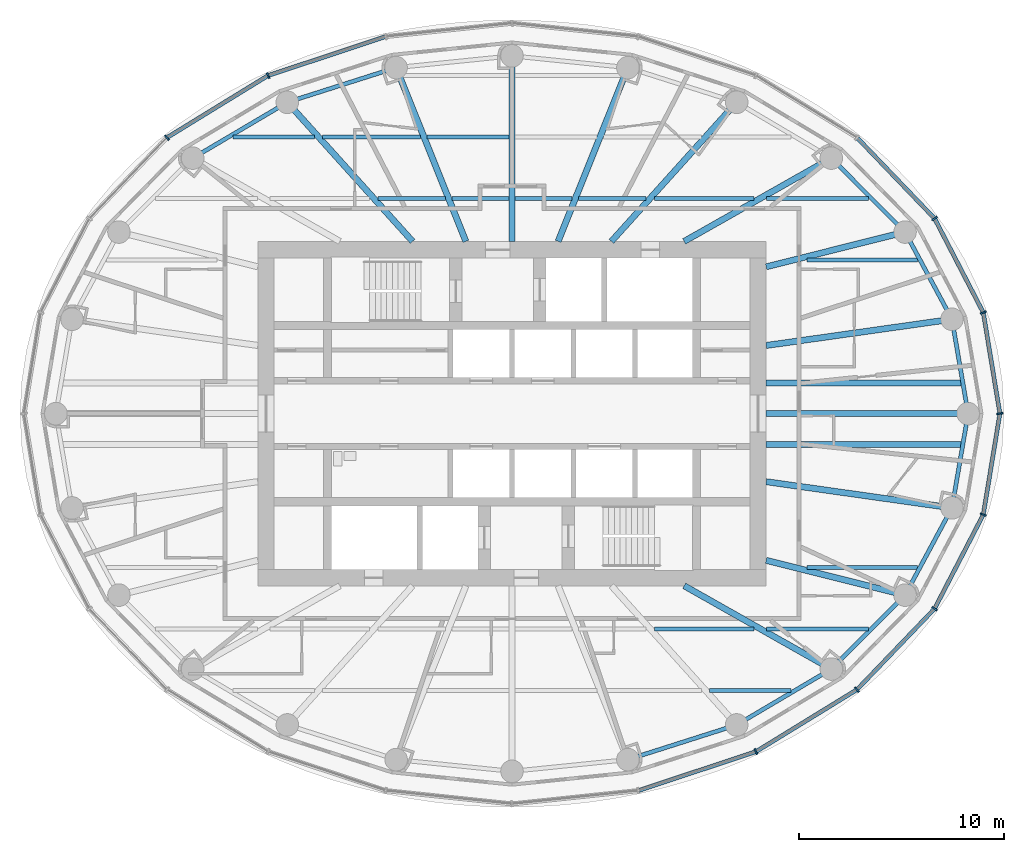
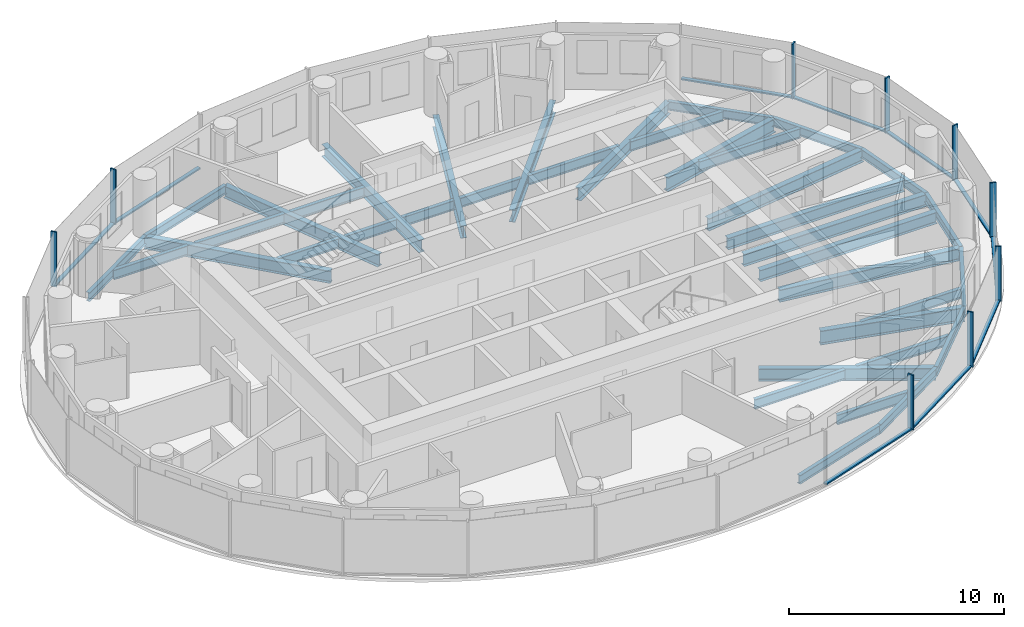
# One storey, part 3 of 16: 38 beams, 19 members, 3 elements without a shape of their own.
"""IFC4 building model written with IfcOpenShell, lengths in metres."""

from ifc_helpers import new_model, si_unit, direction, frame, origin, origin_2d, place, context, subcontext, project, spatial, rectangle, i_section, extrude, material, material_profile, profile_set, type_object, element, aggregate, save


model = new_model("IFC4")

# Units and contexts
model_context = context("Model", 3, precision=1e-05, world=origin(), true_north=direction((0.0, 1.0)))
body_context = subcontext(model_context, "Body", "Model", "MODEL_VIEW")
ifc_project = project(units=[si_unit("LENGTHUNIT", "METRE"), si_unit("AREAUNIT", "SQUARE_METRE"), si_unit("VOLUMEUNIT", "CUBIC_METRE"), si_unit("PLANEANGLEUNIT", "RADIAN"), si_unit("MASSUNIT", "GRAM", prefix="KILO")], contexts=[model_context])

# Site, building, storey
site_placement = place(None, origin())
site = spatial("IfcSite", under=ifc_project, at=site_placement, CompositionType="ELEMENT")
building_placement = place(site_placement, origin())
building = spatial("IfcBuilding", under=site, at=building_placement, Name="Hankou Lantern Tower", CompositionType="ELEMENT")
storey_placement = place(building_placement, frame((0.0, 0.0, 166.5)))
storey = spatial("IfcBuildingStorey", under=building, at=storey_placement, Name="L44", CompositionType="ELEMENT", Elevation=166.5)

# Beams
ifc_material_1 = material(Name="Steel Q355B", Category="steel")
ifc_material_profile_1 = material_profile(ifc_material_1, i_section(OverallWidth=0.199951171875, OverallDepth=0.5, WebThickness=0.010009765625, FlangeThickness=0.01611328125, FilletRadius=0.012939453125, at=origin_2d()), Name="HN500x200x10x16")
ifc_profile_set_1 = profile_set([ifc_material_profile_1], Name="Steel Q355B")
beam_type_1 = type_object("IfcBeamType", Name="EB5 RING BEAM HN500x200x10x16", PredefinedType="SPANDREL", material=ifc_profile_set_1)
beam_1_placement = place(storey_placement, frame((22.25, 0.0, -0.429931640625), z_axis=(-0.168680718946, 0.985670743735, 0.0), x_axis=(-0.985670743735, -0.168680718946, 0.0)))
element("IfcBeam", 1, at=beam_1_placement, inside=storey, type_object=beam_type_1, Name="Ring beam R01-R02 L44", PredefinedType="SPANDREL", context=body_context, shape_type="SweptSolid", body=[
    extrude(i_section(OverallWidth=0.199951171875, OverallDepth=0.5, WebThickness=0.010009765625, FlangeThickness=0.01611328125, FilletRadius=0.012939453125, at=origin_2d()), origin(), (0.0, 0.0, 1.0), 4.667724609375),
])
beam_2_placement = place(storey_placement, frame((21.462646484375, 4.600830078125, -0.429931640625), z_axis=(-0.474051612334, 0.880497057828, 0.0), x_axis=(-0.880497057828, -0.474051612334, 0.0)))
element("IfcBeam", 2, at=beam_2_placement, inside=storey, type_object=beam_type_1, Name="Ring beam R02-R03 L44", PredefinedType="SPANDREL", context=body_context, shape_type="SweptSolid", body=[
    extrude(i_section(OverallWidth=0.199951171875, OverallDepth=0.5, WebThickness=0.010009765625, FlangeThickness=0.01611328125, FilletRadius=0.012939453125, at=origin_2d()), origin(), (0.0, 0.0, 1.0), 4.831787109375),
])
beam_3_placement = place(storey_placement, frame((19.172119140625, 8.855224609375, -0.429931640625), z_axis=(-0.706147278092, 0.708064984054, 0.0), x_axis=(-0.708064984054, -0.706147278092, 0.0)))
element("IfcBeam", 3, at=beam_3_placement, inside=storey, type_object=beam_type_1, Name="Ring beam R03-R04 L44", PredefinedType="SPANDREL", context=body_context, shape_type="SweptSolid", body=[
    extrude(i_section(OverallWidth=0.199951171875, OverallDepth=0.5, WebThickness=0.010009765625, FlangeThickness=0.01611328125, FilletRadius=0.012939453125, at=origin_2d()), origin(), (0.0, 0.0, 1.0), 5.09228515625),
])
beam_4_placement = place(storey_placement, frame((-5.65283203125, 16.87744140625, -0.429931640625), z_axis=(-0.952790404271, -0.30362879562, 0.0), x_axis=(0.30362879562, -0.952790404271, 0.0)))
element("IfcBeam", 4, at=beam_4_placement, inside=storey, type_object=beam_type_1, Name="Ring beam R08-R09 L44", PredefinedType="SPANDREL", context=body_context, shape_type="SweptSolid", body=[
    extrude(i_section(OverallWidth=0.199951171875, OverallDepth=0.5, WebThickness=0.010009765625, FlangeThickness=0.01611328125, FilletRadius=0.012939453125, at=origin_2d()), origin(), (0.0, 0.0, 1.0), 5.56982421875),
])
beam_5_placement = place(storey_placement, frame((-10.959716796875, 15.186279296875, -0.429931640625), z_axis=(-0.861135888339, -0.508374843806, 0.0), x_axis=(0.508374843806, -0.861135888339, 0.0)))
element("IfcBeam", 5, at=beam_5_placement, inside=storey, type_object=beam_type_1, Name="Ring beam R09-R10 L44", PredefinedType="SPANDREL", context=body_context, shape_type="SweptSolid", body=[
    extrude(i_section(OverallWidth=0.199951171875, OverallDepth=0.5, WebThickness=0.010009765625, FlangeThickness=0.01611328125, FilletRadius=0.012939453125, at=origin_2d()), origin(), (0.0, 0.0, 1.0), 5.36083984375),
])
beam_6_placement = place(storey_placement, frame((5.65283203125, -16.87744140625, -0.429931640625), z_axis=(0.952790404271, 0.30362879562, 0.0), x_axis=(-0.30362879562, 0.952790404271, 0.0)))
element("IfcBeam", 6, at=beam_6_placement, inside=storey, type_object=beam_type_1, Name="Ring beam R20-R21 L44", PredefinedType="SPANDREL", context=body_context, shape_type="SweptSolid", body=[
    extrude(i_section(OverallWidth=0.199951171875, OverallDepth=0.5, WebThickness=0.010009765625, FlangeThickness=0.01611328125, FilletRadius=0.012939453125, at=origin_2d()), origin(), (0.0, 0.0, 1.0), 5.56982421875),
])
beam_7_placement = place(storey_placement, frame((10.959716796875, -15.186279296875, -0.429931640625), z_axis=(0.861135888339, 0.508374843806, 0.0), x_axis=(-0.508374843806, 0.861135888339, 0.0)))
element("IfcBeam", 7, at=beam_7_placement, inside=storey, type_object=beam_type_1, Name="Ring beam R21-R22 L44", PredefinedType="SPANDREL", context=body_context, shape_type="SweptSolid", body=[
    extrude(i_section(OverallWidth=0.199951171875, OverallDepth=0.5, WebThickness=0.010009765625, FlangeThickness=0.01611328125, FilletRadius=0.012939453125, at=origin_2d()), origin(), (0.0, 0.0, 1.0), 5.36083984375),
])
beam_8_placement = place(storey_placement, frame((15.576171875, -12.4609375, -0.429931640625), z_axis=(0.706147278092, 0.708064984054, 0.0), x_axis=(-0.708064984054, 0.706147278092, 0.0)))
element("IfcBeam", 8, at=beam_8_placement, inside=storey, type_object=beam_type_1, Name="Ring beam R22-R23 L44", PredefinedType="SPANDREL", context=body_context, shape_type="SweptSolid", body=[
    extrude(i_section(OverallWidth=0.199951171875, OverallDepth=0.5, WebThickness=0.010009765625, FlangeThickness=0.01611328125, FilletRadius=0.012939453125, at=origin_2d()), origin(), (0.0, 0.0, 1.0), 5.09228515625),
])
beam_9_placement = place(storey_placement, frame((19.172119140625, -8.855224609375, -0.429931640625), z_axis=(0.474051612334, 0.880497057828, 0.0), x_axis=(-0.880497057828, 0.474051612334, 0.0)))
element("IfcBeam", 9, at=beam_9_placement, inside=storey, type_object=beam_type_1, Name="Ring beam R23-R24 L44", PredefinedType="SPANDREL", context=body_context, shape_type="SweptSolid", body=[
    extrude(i_section(OverallWidth=0.199951171875, OverallDepth=0.5, WebThickness=0.010009765625, FlangeThickness=0.01611328125, FilletRadius=0.012939453125, at=origin_2d()), origin(), (0.0, 0.0, 1.0), 4.831787109375),
])
beam_10_placement = place(storey_placement, frame((21.462646484375, -4.600830078125, -0.429931640625), z_axis=(0.168680718946, 0.985670743735, 0.0), x_axis=(-0.985670743735, 0.168680718946, 0.0)))
element("IfcBeam", 10, at=beam_10_placement, inside=storey, type_object=beam_type_1, Name="Ring beam R24-R01 L44", PredefinedType="SPANDREL", context=body_context, shape_type="SweptSolid", body=[
    extrude(i_section(OverallWidth=0.199951171875, OverallDepth=0.5, WebThickness=0.010009765625, FlangeThickness=0.01611328125, FilletRadius=0.012939453125, at=origin_2d()), origin(), (0.0, 0.0, 1.0), 4.667724609375),
])

# Curtain wall, members
ifc_material_2 = material(Name="Glass, dark grey tinted laminated", Category="glass")
curtain_wall_type = type_object("IfcCurtainWallType", Name="CWC OUTER SKIN HIGH-RISE", PredefinedType="USERDEFINED", material=ifc_material_2)
curtain_wall_1_placement = place(storey_placement, origin())
curtain_wall_1 = element("IfcCurtainWall", 11, at=curtain_wall_1_placement, inside=storey, type_object=curtain_wall_type, Name="CWC L44 OS1", ObjectType="OUTER SKIN HIGH-RISE", PredefinedType="USERDEFINED")
ifc_material_3 = material(Name="Aluminium, black anodised", Category="aluminium")
ifc_material_profile_2 = material_profile(ifc_material_3, rectangle(XDim=0.080078125, YDim=0.300048828125, at=origin_2d()), Name="MU1 80X300")
ifc_profile_set_2 = profile_set([ifc_material_profile_2], Name="Aluminium, black anodised")
member_type_1 = type_object("IfcMemberType", Name="MU1 OUTER SKIN MULLION 80X300", PredefinedType="MULLION", material=ifc_profile_set_2)
member_1_placement = place(storey_placement, frame((23.800048828125, 0.0, 0.0), z_axis=(0.0, 0.0, 1.0), x_axis=(-0.162381515188, 0.986728049427, 0.0)))
member_1 = element("IfcMember", 12, at=member_1_placement, type_object=member_type_1, Name="CWC mullion 1", PredefinedType="MULLION", context=body_context, shape_type="SweptSolid", body=[
    extrude(rectangle(XDim=0.080078125, YDim=0.300048828125, at=origin_2d()), origin(), (0.0, 0.0, 1.0), 3.1201171875),
])
member_2_placement = place(storey_placement, frame((22.989013671875, 4.927978515625, 0.0), z_axis=(0.0, 0.0, 1.0), x_axis=(-0.317595577365, 0.94822626479, 0.0)))
member_2 = element("IfcMember", 13, at=member_2_placement, type_object=member_type_1, Name="CWC mullion 2", PredefinedType="MULLION", context=body_context, shape_type="SweptSolid", body=[
    extrude(rectangle(XDim=0.080078125, YDim=0.300048828125, at=origin_2d()), origin(), (0.0, 0.0, 1.0), 3.1201171875),
])
member_3_placement = place(storey_placement, frame((20.611328125, 9.52001953125, 0.0), z_axis=(0.0, 0.0, 1.0), x_axis=(-0.585205735974, 0.810884854084, 0.0)))
member_3 = element("IfcMember", 14, at=member_3_placement, type_object=member_type_1, Name="CWC mullion 3", PredefinedType="MULLION", context=body_context, shape_type="SweptSolid", body=[
    extrude(rectangle(XDim=0.080078125, YDim=0.300048828125, at=origin_2d()), origin(), (0.0, 0.0, 1.0), 3.1201171875),
])

curtain_wall_2_placement = place(storey_placement, origin())
curtain_wall_2 = element("IfcCurtainWall", 15, at=curtain_wall_2_placement, inside=storey, type_object=curtain_wall_type, Name="CWC L44 OS2", ObjectType="OUTER SKIN HIGH-RISE", PredefinedType="USERDEFINED")
member_4_placement = place(storey_placement, frame((-11.89990234375, 16.489013671875, 0.0), z_axis=(0.0, 0.0, 1.0), x_axis=(-0.907841299004, -0.419313934686, 0.0)))
member_4 = element("IfcMember", 16, at=member_4_placement, type_object=member_type_1, Name="CWC mullion 3", PredefinedType="MULLION", context=body_context, shape_type="SweptSolid", body=[
    extrude(rectangle(XDim=0.080078125, YDim=0.300048828125, at=origin_2d()), origin(), (0.0, 0.0, 1.0), 3.1201171875),
])
member_5_placement = place(storey_placement, frame((-16.8291015625, 13.46337890625, 0.0), z_axis=(0.0, 0.0, 1.0), x_axis=(-0.780868809444, -0.624695047553, 0.0)))
member_5 = element("IfcMember", 17, at=member_5_placement, type_object=member_type_1, Name="CWC mullion 4", PredefinedType="MULLION", context=body_context, shape_type="SweptSolid", body=[
    extrude(rectangle(XDim=0.080078125, YDim=0.300048828125, at=origin_2d()), origin(), (0.0, 0.0, 1.0), 3.1201171875),
])

curtain_wall_3_placement = place(storey_placement, origin())
curtain_wall_3 = element("IfcCurtainWall", 18, at=curtain_wall_3_placement, inside=storey, type_object=curtain_wall_type, Name="CWC L44 OS4", ObjectType="OUTER SKIN HIGH-RISE", PredefinedType="USERDEFINED")
member_6_placement = place(storey_placement, frame((11.89990234375, -16.489013671875, 0.0), z_axis=(0.0, 0.0, 1.0), x_axis=(0.907841299004, 0.419313934686, 0.0)))
member_6 = element("IfcMember", 19, at=member_6_placement, type_object=member_type_1, Name="CWC mullion 3", PredefinedType="MULLION", context=body_context, shape_type="SweptSolid", body=[
    extrude(rectangle(XDim=0.080078125, YDim=0.300048828125, at=origin_2d()), origin(), (0.0, 0.0, 1.0), 3.1201171875),
])
member_7_placement = place(storey_placement, frame((16.8291015625, -13.46337890625, 0.0), z_axis=(0.0, 0.0, 1.0), x_axis=(0.780868809444, 0.624695047553, 0.0)))
member_7 = element("IfcMember", 20, at=member_7_placement, type_object=member_type_1, Name="CWC mullion 4", PredefinedType="MULLION", context=body_context, shape_type="SweptSolid", body=[
    extrude(rectangle(XDim=0.080078125, YDim=0.300048828125, at=origin_2d()), origin(), (0.0, 0.0, 1.0), 3.1201171875),
])
member_8_placement = place(storey_placement, frame((20.611328125, -9.52001953125, 0.0), z_axis=(0.0, 0.0, 1.0), x_axis=(0.585205735974, 0.810884854084, 0.0)))
member_8 = element("IfcMember", 21, at=member_8_placement, type_object=member_type_1, Name="CWC mullion 5", PredefinedType="MULLION", context=body_context, shape_type="SweptSolid", body=[
    extrude(rectangle(XDim=0.080078125, YDim=0.300048828125, at=origin_2d()), origin(), (0.0, 0.0, 1.0), 3.1201171875),
])
member_9_placement = place(storey_placement, frame((22.989013671875, -4.927978515625, 0.0), z_axis=(0.0, 0.0, 1.0), x_axis=(0.317595577365, 0.94822626479, 0.0)))
member_9 = element("IfcMember", 22, at=member_9_placement, type_object=member_type_1, Name="CWC mullion 6", PredefinedType="MULLION", context=body_context, shape_type="SweptSolid", body=[
    extrude(rectangle(XDim=0.080078125, YDim=0.300048828125, at=origin_2d()), origin(), (0.0, 0.0, 1.0), 3.1201171875),
])

# Beams
ifc_material_4 = material(Name="Steel Q355B", Category="steel")
ifc_material_profile_3 = material_profile(ifc_material_4, i_section(OverallWidth=0.300048828125, OverallDepth=0.800048828125, WebThickness=0.013916015625, FlangeThickness=0.02587890625, FilletRadius=0.01806640625, at=origin_2d()), Name="HN800x300x14x26")
ifc_profile_set_3 = profile_set([ifc_material_profile_3], Name="Steel Q355B")
beam_type_2 = type_object("IfcBeamType", Name="RB11 RADIAL BEAM HN800x300x14x26", PredefinedType="BEAM", material=ifc_profile_set_3)
for number, where, z_axis, x_axis, name in (
    (23, (12.39990234375, 7.1591796875, -0.580078125), (0.970041619568, 0.242938791274, 0.0), (-0.242938791274, 0.970041619568, 0.0), "Radial beam R03 L44"),
    (24, (12.39990234375, -7.1591796875, -0.580078125), (0.970041619568, -0.242938791274, 0.0), (0.242938791274, 0.970041619568, 0.0), "Radial beam R23 L44"),
):
    element("IfcBeam", number, at=place(storey_placement, frame(where, z_axis=z_axis, x_axis=x_axis)), inside=storey, type_object=beam_type_2, Name=name, PredefinedType="BEAM", context=body_context, shape_type="SweptSolid", body=[
        extrude(i_section(OverallWidth=0.300048828125, OverallDepth=0.800048828125, WebThickness=0.013916015625, FlangeThickness=0.02587890625, FilletRadius=0.01806640625, at=origin_2d()), origin(), (0.0, 0.0, 1.0), 6.9814453125),
    ])
ifc_material_5 = material(Name="Steel Q355B", Category="steel")
ifc_material_profile_4 = material_profile(ifc_material_5, i_section(OverallWidth=0.300048828125, OverallDepth=0.699951171875, WebThickness=0.012939453125, FlangeThickness=0.02392578125, FilletRadius=0.01806640625, at=origin_2d()), Name="HN700x300x13x24")
ifc_profile_set_4 = profile_set([ifc_material_profile_4], Name="Steel Q355B")
beam_type_3 = type_object("IfcBeamType", Name="RB9 RADIAL BEAM HN700x300x13x24", PredefinedType="BEAM", material=ifc_profile_set_4)
beam_11_placement = place(storey_placement, frame((12.39990234375, 0.0, -0.530029296875), z_axis=(1.0, 0.0, 0.0), x_axis=(0.0, 1.0, 0.0)))
element("IfcBeam", 25, at=beam_11_placement, inside=storey, type_object=beam_type_3, Name="Radial beam R01 L44", PredefinedType="BEAM", context=body_context, shape_type="SweptSolid", body=[
    extrude(i_section(OverallWidth=0.300048828125, OverallDepth=0.699951171875, WebThickness=0.012939453125, FlangeThickness=0.02392578125, FilletRadius=0.01806640625, at=origin_2d()), origin(), (0.0, 0.0, 1.0), 9.85009765625),
])
beam_12_placement = place(storey_placement, frame((12.39990234375, 3.322509765625, -0.530029296875), z_axis=(0.990198154617, 0.13966966239, 0.0), x_axis=(-0.13966966239, 0.990198154617, 0.0)))
element("IfcBeam", 26, at=beam_12_placement, inside=storey, type_object=beam_type_3, Name="Radial beam R02 L44", PredefinedType="BEAM", context=body_context, shape_type="SweptSolid", body=[
    extrude(i_section(OverallWidth=0.300048828125, OverallDepth=0.699951171875, WebThickness=0.012939453125, FlangeThickness=0.02392578125, FilletRadius=0.01806640625, at=origin_2d()), origin(), (0.0, 0.0, 1.0), 9.15234375),
])
beam_13_placement = place(storey_placement, frame((8.39990234375, 8.39990234375, -0.530029296875), z_axis=(0.870309058024, 0.492505983234, 0.0), x_axis=(-0.492505983234, 0.870309058024, 0.0)))
element("IfcBeam", 27, at=beam_13_placement, inside=storey, type_object=beam_type_3, Name="Radial beam R04 L44", PredefinedType="BEAM", context=body_context, shape_type="SweptSolid", body=[
    extrude(i_section(OverallWidth=0.300048828125, OverallDepth=0.699951171875, WebThickness=0.012939453125, FlangeThickness=0.02392578125, FilletRadius=0.01806640625, at=origin_2d()), origin(), (0.0, 0.0, 1.0), 8.24560546875),
])
beam_14_placement = place(storey_placement, frame((4.849853515625, 8.39990234375, -0.530029296875), z_axis=(0.669093231314, 0.743178476418, 0.0), x_axis=(-0.743178476418, 0.669093231314, 0.0)))
element("IfcBeam", 28, at=beam_14_placement, inside=storey, type_object=beam_type_3, Name="Radial beam R05 L44", PredefinedType="BEAM", context=body_context, shape_type="SweptSolid", body=[
    extrude(i_section(OverallWidth=0.300048828125, OverallDepth=0.699951171875, WebThickness=0.012939453125, FlangeThickness=0.02392578125, FilletRadius=0.01806640625, at=origin_2d()), origin(), (0.0, 0.0, 1.0), 9.131591796875),
])
beam_15_placement = place(storey_placement, frame((2.250732421875, 8.39990234375, -0.530029296875), z_axis=(0.372436468133, 0.928057690666, 0.0), x_axis=(-0.928057690666, 0.372436468133, 0.0)))
element("IfcBeam", 29, at=beam_15_placement, inside=storey, type_object=beam_type_3, Name="Radial beam R06 L44", PredefinedType="BEAM", context=body_context, shape_type="SweptSolid", body=[
    extrude(i_section(OverallWidth=0.300048828125, OverallDepth=0.699951171875, WebThickness=0.012939453125, FlangeThickness=0.02392578125, FilletRadius=0.01806640625, at=origin_2d()), origin(), (0.0, 0.0, 1.0), 9.134765625),
])
beam_16_placement = place(storey_placement, frame((0.0, 8.39990234375, -0.530029296875), z_axis=(0.0, 1.0, 0.0), x_axis=(-1.0, 0.0, 0.0)))
element("IfcBeam", 30, at=beam_16_placement, inside=storey, type_object=beam_type_3, Name="Radial beam R07 L44", PredefinedType="BEAM", context=body_context, shape_type="SweptSolid", body=[
    extrude(i_section(OverallWidth=0.300048828125, OverallDepth=0.699951171875, WebThickness=0.012939453125, FlangeThickness=0.02392578125, FilletRadius=0.01806640625, at=origin_2d()), origin(), (0.0, 0.0, 1.0), 9.050048828125),
])
beam_17_placement = place(storey_placement, frame((-2.250732421875, 8.39990234375, -0.530029296875), z_axis=(-0.372436468133, 0.928057690666, 0.0), x_axis=(-0.928057690666, -0.372436468133, 0.0)))
element("IfcBeam", 31, at=beam_17_placement, inside=storey, type_object=beam_type_3, Name="Radial beam R08 L44", PredefinedType="BEAM", context=body_context, shape_type="SweptSolid", body=[
    extrude(i_section(OverallWidth=0.300048828125, OverallDepth=0.699951171875, WebThickness=0.012939453125, FlangeThickness=0.02392578125, FilletRadius=0.01806640625, at=origin_2d()), origin(), (0.0, 0.0, 1.0), 9.134765625),
])
beam_18_placement = place(storey_placement, frame((-4.849853515625, 8.39990234375, -0.530029296875), z_axis=(-0.669093231314, 0.743178476418, 0.0), x_axis=(-0.743178476418, -0.669093231314, 0.0)))
element("IfcBeam", 32, at=beam_18_placement, inside=storey, type_object=beam_type_3, Name="Radial beam R09 L44", PredefinedType="BEAM", context=body_context, shape_type="SweptSolid", body=[
    extrude(i_section(OverallWidth=0.300048828125, OverallDepth=0.699951171875, WebThickness=0.012939453125, FlangeThickness=0.02392578125, FilletRadius=0.01806640625, at=origin_2d()), origin(), (0.0, 0.0, 1.0), 9.131591796875),
])
beam_19_placement = place(storey_placement, frame((8.39990234375, -8.39990234375, -0.530029296875), z_axis=(0.870309058024, -0.492505983234, 0.0), x_axis=(0.492505983234, 0.870309058024, 0.0)))
element("IfcBeam", 33, at=beam_19_placement, inside=storey, type_object=beam_type_3, Name="Radial beam R22 L44", PredefinedType="BEAM", context=body_context, shape_type="SweptSolid", body=[
    extrude(i_section(OverallWidth=0.300048828125, OverallDepth=0.699951171875, WebThickness=0.012939453125, FlangeThickness=0.02392578125, FilletRadius=0.01806640625, at=origin_2d()), origin(), (0.0, 0.0, 1.0), 8.24560546875),
])
beam_20_placement = place(storey_placement, frame((12.39990234375, -3.322509765625, -0.530029296875), z_axis=(0.990198154617, -0.13966966239, 0.0), x_axis=(0.13966966239, 0.990198154617, 0.0)))
element("IfcBeam", 34, at=beam_20_placement, inside=storey, type_object=beam_type_3, Name="Radial beam R24 L44", PredefinedType="BEAM", context=body_context, shape_type="SweptSolid", body=[
    extrude(i_section(OverallWidth=0.300048828125, OverallDepth=0.699951171875, WebThickness=0.012939453125, FlangeThickness=0.02392578125, FilletRadius=0.01806640625, at=origin_2d()), origin(), (0.0, 0.0, 1.0), 9.15234375),
])
ifc_material_6 = material(Name="Steel Q355B", Category="steel")
ifc_material_profile_5 = material_profile(ifc_material_6, i_section(OverallWidth=0.199951171875, OverallDepth=0.550048828125, WebThickness=0.010009765625, FlangeThickness=0.01611328125, FilletRadius=0.012939453125, at=origin_2d()), Name="HN550x200x10x16")
ifc_profile_set_5 = profile_set([ifc_material_profile_5], Name="Steel Q355B")
beam_type_4 = type_object("IfcBeamType", Name="SB6 SECONDARY BEAM HN550x200x10x16", PredefinedType="JOIST", material=ifc_profile_set_5)
beam_21_placement = place(storey_placement, frame((9.643310546875, -13.5, -0.455078125), z_axis=(1.0, 0.0, 0.0), x_axis=(0.0, 1.0, 0.0)))
element("IfcBeam", 35, at=beam_21_placement, inside=storey, type_object=beam_type_4, Name="Floor joist J006 L44", PredefinedType="JOIST", context=body_context, shape_type="SweptSolid", body=[
    extrude(i_section(OverallWidth=0.199951171875, OverallDepth=0.550048828125, WebThickness=0.010009765625, FlangeThickness=0.01611328125, FilletRadius=0.012939453125, at=origin_2d()), origin(), (0.0, 0.0, 1.0), 3.97607421875),
])
beam_22_placement = place(storey_placement, frame((6.9423828125, -10.5, -0.455078125), z_axis=(1.0, 0.0, 0.0), x_axis=(0.0, 1.0, 0.0)))
element("IfcBeam", 36, at=beam_22_placement, inside=storey, type_object=beam_type_4, Name="Floor joist J013 L44", PredefinedType="JOIST", context=body_context, shape_type="SweptSolid", body=[
    extrude(i_section(OverallWidth=0.199951171875, OverallDepth=0.550048828125, WebThickness=0.010009765625, FlangeThickness=0.01611328125, FilletRadius=0.012939453125, at=origin_2d()), origin(), (0.0, 0.0, 1.0), 4.864013671875),
])
beam_23_placement = place(storey_placement, frame((12.41552734375, -10.5, -0.455078125), z_axis=(1.0, 0.0, 0.0), x_axis=(0.0, 1.0, 0.0)))
element("IfcBeam", 37, at=beam_23_placement, inside=storey, type_object=beam_type_4, Name="Floor joist J014 L44", PredefinedType="JOIST", context=body_context, shape_type="SweptSolid", body=[
    extrude(i_section(OverallWidth=0.199951171875, OverallDepth=0.550048828125, WebThickness=0.010009765625, FlangeThickness=0.01611328125, FilletRadius=0.012939453125, at=origin_2d()), origin(), (0.0, 0.0, 1.0), 4.97509765625),
])
for number, where, z_axis, x_axis, name in (
    (38, (14.37841796875, -7.5, -0.455078125), (1.0, 0.0, 0.0), (0.0, 1.0, 0.0), "Floor joist J016 L44"),
    (39, (14.37841796875, 7.5, -0.455078125), (1.0, 0.0, 0.0), (0.0, 1.0, 0.0), "Floor joist J026 L44"),
):
    element("IfcBeam", number, at=place(storey_placement, frame(where, z_axis=z_axis, x_axis=x_axis)), inside=storey, type_object=beam_type_4, Name=name, PredefinedType="JOIST", context=body_context, shape_type="SweptSolid", body=[
        extrude(i_section(OverallWidth=0.199951171875, OverallDepth=0.550048828125, WebThickness=0.010009765625, FlangeThickness=0.01611328125, FilletRadius=0.012939453125, at=origin_2d()), origin(), (0.0, 0.0, 1.0), 5.409912109375),
    ])
beam_24_placement = place(storey_placement, frame((-6.53857421875, 10.5, -0.455078125), z_axis=(1.0, 0.0, 0.0), x_axis=(0.0, 1.0, 0.0)))
element("IfcBeam", 40, at=beam_24_placement, inside=storey, type_object=beam_type_4, Name="Floor joist J029 L44", PredefinedType="JOIST", context=body_context, shape_type="SweptSolid", body=[
    extrude(i_section(OverallWidth=0.199951171875, OverallDepth=0.550048828125, WebThickness=0.010009765625, FlangeThickness=0.01611328125, FilletRadius=0.012939453125, at=origin_2d()), origin(), (0.0, 0.0, 1.0), 3.283447265625),
])
for number, where, z_axis, x_axis, name in (
    (41, (-2.931884765625, 10.5, -0.455078125), (1.0, 0.0, 0.0), (0.0, 1.0, 0.0), "Floor joist J030 L44"),
    (42, (0.14990234375, 10.5, -0.455078125), (1.0, 0.0, 0.0), (0.0, 1.0, 0.0), "Floor joist J031 L44"),
):
    element("IfcBeam", number, at=place(storey_placement, frame(where, z_axis=z_axis, x_axis=x_axis)), inside=storey, type_object=beam_type_4, Name=name, PredefinedType="JOIST", context=body_context, shape_type="SweptSolid", body=[
        extrude(i_section(OverallWidth=0.199951171875, OverallDepth=0.550048828125, WebThickness=0.010009765625, FlangeThickness=0.01611328125, FilletRadius=0.012939453125, at=origin_2d()), origin(), (0.0, 0.0, 1.0), 2.781982421875),
    ])
beam_25_placement = place(storey_placement, frame((3.255126953125, 10.5, -0.455078125), z_axis=(1.0, 0.0, 0.0), x_axis=(0.0, 1.0, 0.0)))
element("IfcBeam", 43, at=beam_25_placement, inside=storey, type_object=beam_type_4, Name="Floor joist J032 L44", PredefinedType="JOIST", context=body_context, shape_type="SweptSolid", body=[
    extrude(i_section(OverallWidth=0.199951171875, OverallDepth=0.550048828125, WebThickness=0.010009765625, FlangeThickness=0.01611328125, FilletRadius=0.012939453125, at=origin_2d()), origin(), (0.0, 0.0, 1.0), 3.283447265625),
])
beam_26_placement = place(storey_placement, frame((6.9423828125, 10.5, -0.455078125), z_axis=(1.0, 0.0, 0.0), x_axis=(0.0, 1.0, 0.0)))
element("IfcBeam", 44, at=beam_26_placement, inside=storey, type_object=beam_type_4, Name="Floor joist J033 L44", PredefinedType="JOIST", context=body_context, shape_type="SweptSolid", body=[
    extrude(i_section(OverallWidth=0.199951171875, OverallDepth=0.550048828125, WebThickness=0.010009765625, FlangeThickness=0.01611328125, FilletRadius=0.012939453125, at=origin_2d()), origin(), (0.0, 0.0, 1.0), 4.864013671875),
])
beam_27_placement = place(storey_placement, frame((12.41552734375, 10.5, -0.455078125), z_axis=(1.0, 0.0, 0.0), x_axis=(0.0, 1.0, 0.0)))
element("IfcBeam", 45, at=beam_27_placement, inside=storey, type_object=beam_type_4, Name="Floor joist J034 L44", PredefinedType="JOIST", context=body_context, shape_type="SweptSolid", body=[
    extrude(i_section(OverallWidth=0.199951171875, OverallDepth=0.550048828125, WebThickness=0.010009765625, FlangeThickness=0.01611328125, FilletRadius=0.012939453125, at=origin_2d()), origin(), (0.0, 0.0, 1.0), 4.97509765625),
])
beam_28_placement = place(storey_placement, frame((-13.619384765625, 13.5, -0.455078125), z_axis=(1.0, 0.0, 0.0), x_axis=(0.0, 1.0, 0.0)))
element("IfcBeam", 46, at=beam_28_placement, inside=storey, type_object=beam_type_4, Name="Floor joist J035 L44", PredefinedType="JOIST", context=body_context, shape_type="SweptSolid", body=[
    extrude(i_section(OverallWidth=0.199951171875, OverallDepth=0.550048828125, WebThickness=0.010009765625, FlangeThickness=0.01611328125, FilletRadius=0.012939453125, at=origin_2d()), origin(), (0.0, 0.0, 1.0), 3.97607421875),
])
beam_29_placement = place(storey_placement, frame((-9.23974609375, 13.5, -0.455078125), z_axis=(1.0, 0.0, 0.0), x_axis=(0.0, 1.0, 0.0)))
element("IfcBeam", 47, at=beam_29_placement, inside=storey, type_object=beam_type_4, Name="Floor joist J036 L44", PredefinedType="JOIST", context=body_context, shape_type="SweptSolid", body=[
    extrude(i_section(OverallWidth=0.199951171875, OverallDepth=0.550048828125, WebThickness=0.010009765625, FlangeThickness=0.01611328125, FilletRadius=0.012939453125, at=origin_2d()), origin(), (0.0, 0.0, 1.0), 4.780517578125),
])
beam_30_placement = place(storey_placement, frame((-4.135986328125, 13.5, -0.455078125), z_axis=(1.0, 0.0, 0.0), x_axis=(0.0, 1.0, 0.0)))
element("IfcBeam", 48, at=beam_30_placement, inside=storey, type_object=beam_type_4, Name="Floor joist J037 L44", PredefinedType="JOIST", context=body_context, shape_type="SweptSolid", body=[
    extrude(i_section(OverallWidth=0.199951171875, OverallDepth=0.550048828125, WebThickness=0.010009765625, FlangeThickness=0.01611328125, FilletRadius=0.012939453125, at=origin_2d()), origin(), (0.0, 0.0, 1.0), 3.986083984375),
])
ifc_material_7 = material(Name="Steel Q355B", Category="steel")
ifc_material_profile_6 = material_profile(ifc_material_7, i_section(OverallWidth=0.300048828125, OverallDepth=0.64990234375, WebThickness=0.010986328125, FlangeThickness=0.01708984375, FilletRadius=0.01806640625, at=origin_2d()), Name="HN650x300x11x17")
ifc_profile_set_6 = profile_set([ifc_material_profile_6], Name="Steel Q355B")
beam_type_5 = type_object("IfcBeamType", Name="SB8 SECONDARY BEAM HN650x300x11x17", PredefinedType="JOIST", material=ifc_profile_set_6)
for number, where, z_axis, x_axis, name in (
    (49, (12.39990234375, -1.5, -0.5048828125), (1.0, 0.0, 0.0), (0.0, 1.0, 0.0), "Floor joist J020 L44"),
    (50, (12.39990234375, 1.5, -0.5048828125), (1.0, 0.0, 0.0), (0.0, 1.0, 0.0), "Floor joist J022 L44"),
):
    element("IfcBeam", number, at=place(storey_placement, frame(where, z_axis=z_axis, x_axis=x_axis)), inside=storey, type_object=beam_type_5, Name=name, PredefinedType="JOIST", context=body_context, shape_type="SweptSolid", body=[
        extrude(i_section(OverallWidth=0.300048828125, OverallDepth=0.64990234375, WebThickness=0.010986328125, FlangeThickness=0.01708984375, FilletRadius=0.01806640625, at=origin_2d()), origin(), (0.0, 0.0, 1.0), 9.491943359375),
    ])

# Member
ifc_material_8 = material(Name="Aluminium, black anodised", Category="aluminium")
ifc_material_profile_7 = material_profile(ifc_material_8, rectangle(XDim=0.199951171875, YDim=0.080078125, at=origin_2d()), Name="TR1 200X80")
ifc_profile_set_7 = profile_set([ifc_material_profile_7], Name="Aluminium, black anodised")
member_type_2 = type_object("IfcMemberType", Name="TR1 OUTER SKIN TRANSOM 200X80", PredefinedType="USERDEFINED", material=ifc_profile_set_7)
member_10_placement = place(storey_placement, frame((23.79345703125, 0.03955078125, 0.0400390625), z_axis=(-0.162360337061, 0.986731534385, 0.0), x_axis=(-0.986731534385, -0.162360337061, 0.0)))
member_10 = element("IfcMember", 51, at=member_10_placement, type_object=member_type_2, Name="CWC transom 1", ObjectType="TRANSOM", PredefinedType="USERDEFINED", context=body_context, shape_type="SweptSolid", body=[
    extrude(rectangle(XDim=0.199951171875, YDim=0.080078125, at=origin_2d()), origin(), (0.0, 0.0, 1.0), 4.9140625),
])

member_11_placement = place(storey_placement, frame((22.970703125, 4.96337890625, 0.0400390625), z_axis=(-0.459790772977, 0.888027277219, 0.0), x_axis=(-0.888027277219, -0.459790772977, 0.0)))
member_11 = element("IfcMember", 52, at=member_11_placement, type_object=member_type_2, Name="CWC transom 2", ObjectType="TRANSOM", PredefinedType="USERDEFINED", context=body_context, shape_type="SweptSolid", body=[
    extrude(rectangle(XDim=0.199951171875, YDim=0.080078125, at=origin_2d()), origin(), (0.0, 0.0, 1.0), 5.091064453125),
])

member_12_placement = place(storey_placement, frame((20.583740234375, 9.548828125, 0.0400390625), z_axis=(-0.692215543831, 0.721690820836, 0.0), x_axis=(-0.721690820836, -0.692215543831, 0.0)))
member_12 = element("IfcMember", 53, at=member_12_placement, type_object=member_type_2, Name="CWC transom 3", ObjectType="TRANSOM", PredefinedType="USERDEFINED", context=body_context, shape_type="SweptSolid", body=[
    extrude(rectangle(XDim=0.199951171875, YDim=0.080078125, at=origin_2d()), origin(), (0.0, 0.0, 1.0), 5.3837890625),
])

aggregate(curtain_wall_1, [member_1, member_2, member_3, member_10, member_11, member_12])

member_13_placement = place(storey_placement, frame((-6.19775390625, 18.378662109375, 0.0400390625), z_axis=(-0.949242327551, -0.314545709849, 0.0), x_axis=(0.314545709849, -0.949242327551, 0.0)))
member_13 = element("IfcMember", 54, at=member_13_placement, type_object=member_type_2, Name="CWC transom 2", ObjectType="TRANSOM", PredefinedType="USERDEFINED", context=body_context, shape_type="SweptSolid", body=[
    extrude(rectangle(XDim=0.199951171875, YDim=0.080078125, at=origin_2d()), origin(), (0.0, 0.0, 1.0), 5.96728515625),
])

member_14_placement = place(storey_placement, frame((-11.93408203125, 16.46826171875, 0.0400390625), z_axis=(-0.852229482357, -0.523168146394, 0.0), x_axis=(0.523168146394, -0.852229482357, 0.0)))
member_14 = element("IfcMember", 55, at=member_14_placement, type_object=member_type_2, Name="CWC transom 3", ObjectType="TRANSOM", PredefinedType="USERDEFINED", context=body_context, shape_type="SweptSolid", body=[
    extrude(rectangle(XDim=0.199951171875, YDim=0.080078125, at=origin_2d()), origin(), (0.0, 0.0, 1.0), 5.703857421875),
])

aggregate(curtain_wall_2, [member_4, member_5, member_13, member_14])

member_15_placement = place(storey_placement, frame((6.19775390625, -18.378662109375, 0.0400390625), z_axis=(0.949242327551, 0.314545709849, 0.0), x_axis=(-0.314545709849, 0.949242327551, 0.0)))
member_15 = element("IfcMember", 56, at=member_15_placement, type_object=member_type_2, Name="CWC transom 2", ObjectType="TRANSOM", PredefinedType="USERDEFINED", context=body_context, shape_type="SweptSolid", body=[
    extrude(rectangle(XDim=0.199951171875, YDim=0.080078125, at=origin_2d()), origin(), (0.0, 0.0, 1.0), 5.96728515625),
])

member_16_placement = place(storey_placement, frame((11.93408203125, -16.46826171875, 0.0400390625), z_axis=(0.852229482357, 0.523168146394, 0.0), x_axis=(-0.523168146394, 0.852229482357, 0.0)))
member_16 = element("IfcMember", 57, at=member_16_placement, type_object=member_type_2, Name="CWC transom 3", ObjectType="TRANSOM", PredefinedType="USERDEFINED", context=body_context, shape_type="SweptSolid", body=[
    extrude(rectangle(XDim=0.199951171875, YDim=0.080078125, at=origin_2d()), origin(), (0.0, 0.0, 1.0), 5.703857421875),
])

member_17_placement = place(storey_placement, frame((16.85693359375, -13.434326171875, 0.0400390625), z_axis=(0.692215543831, 0.721690820836, 0.0), x_axis=(-0.721690820836, 0.692215543831, 0.0)))
member_17 = element("IfcMember", 58, at=member_17_placement, type_object=member_type_2, Name="CWC transom 4", ObjectType="TRANSOM", PredefinedType="USERDEFINED", context=body_context, shape_type="SweptSolid", body=[
    extrude(rectangle(XDim=0.199951171875, YDim=0.080078125, at=origin_2d()), origin(), (0.0, 0.0, 1.0), 5.3837890625),
])

member_18_placement = place(storey_placement, frame((20.6298828125, -9.484375, 0.0400390625), z_axis=(0.459790772977, 0.888027277219, 0.0), x_axis=(-0.888027277219, 0.459790772977, 0.0)))
member_18 = element("IfcMember", 59, at=member_18_placement, type_object=member_type_2, Name="CWC transom 5", ObjectType="TRANSOM", PredefinedType="USERDEFINED", context=body_context, shape_type="SweptSolid", body=[
    extrude(rectangle(XDim=0.199951171875, YDim=0.080078125, at=origin_2d()), origin(), (0.0, 0.0, 1.0), 5.091064453125),
])

member_19_placement = place(storey_placement, frame((22.99560546875, -4.888427734375, 0.0400390625), z_axis=(0.162360337061, 0.986731534385, 0.0), x_axis=(-0.986731534385, 0.162360337061, 0.0)))
member_19 = element("IfcMember", 60, at=member_19_placement, type_object=member_type_2, Name="CWC transom 6", ObjectType="TRANSOM", PredefinedType="USERDEFINED", context=body_context, shape_type="SweptSolid", body=[
    extrude(rectangle(XDim=0.199951171875, YDim=0.080078125, at=origin_2d()), origin(), (0.0, 0.0, 1.0), 4.9140625),
])

aggregate(curtain_wall_3, [member_6, member_7, member_8, member_9, member_15, member_16, member_17, member_18, member_19])

save(model, "model.ifc")
